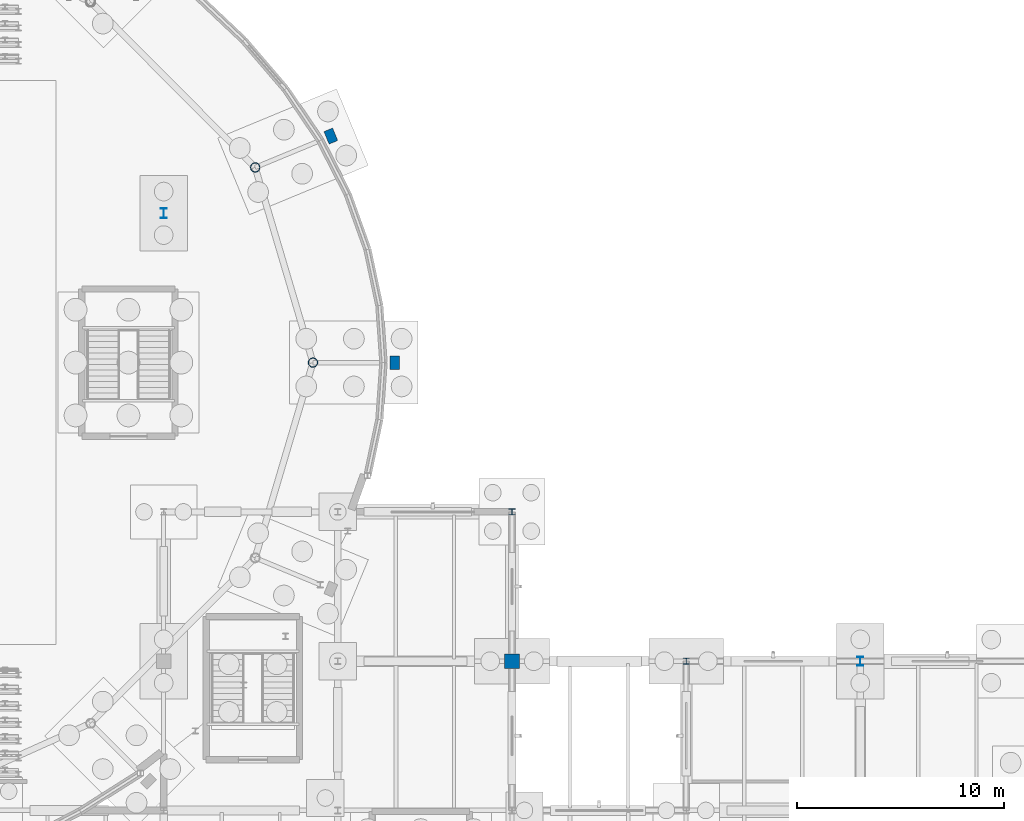
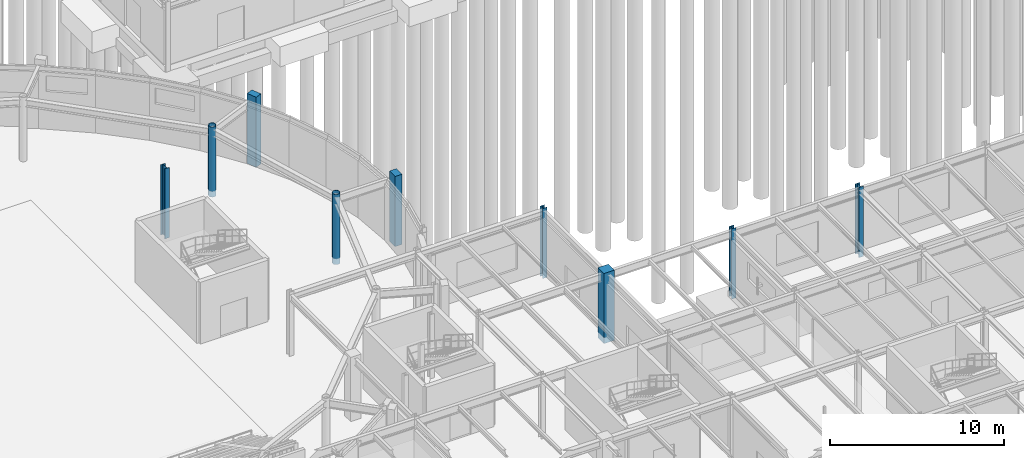
# One storey, part 18 of 93: 9 columns.
"""IFC4 building model written with IfcOpenShell, lengths in metres."""

from ifc_helpers import new_model, si_unit, derived_unit, direction, frame, origin, origin_2d, place, context, subcontext, project, spatial, rectangle, hollow_circle, i_section, extrude, material, material_profile, profile_set, type_object, element, save


model = new_model("IFC4")

# Units and contexts
model_context = context("Model", 3, precision=1e-05, world=origin(), true_north=direction((0.0, 1.0)))
body_context = subcontext(model_context, "Body", "Model", "MODEL_VIEW")
ifc_project = project(units=[si_unit("LENGTHUNIT", "METRE"), si_unit("AREAUNIT", "SQUARE_METRE"), si_unit("VOLUMEUNIT", "CUBIC_METRE"), si_unit("PLANEANGLEUNIT", "RADIAN"), si_unit("MASSUNIT", "GRAM", prefix="KILO"), derived_unit("THERMALTRANSMITTANCEUNIT", [(si_unit("MASSUNIT", "GRAM", prefix="KILO"), 1), (si_unit("TIMEUNIT", "SECOND"), -3), (si_unit("THERMODYNAMICTEMPERATUREUNIT", "KELVIN"), -1)])], contexts=[model_context])

# Site, building, storey
site_placement = place(None, origin())
site = spatial("IfcSite", under=ifc_project, at=site_placement, CompositionType="ELEMENT")
building_placement = place(site_placement, origin())
building = spatial("IfcBuilding", under=site, at=building_placement, Name="Kharveza Railside Sports Centre", CompositionType="ELEMENT")
storey_placement = place(building_placement, origin())
storey = spatial("IfcBuildingStorey", under=building, at=storey_placement, Name="L00", CompositionType="ELEMENT", Elevation=0.0)

# Columns
ifc_material_1 = material(Name="Concrete C35/45", Category="concrete")
ifc_material_profile_1 = material_profile(ifc_material_1, rectangle(XDim=0.699951171875, YDim=0.699951171875, at=origin_2d()), Name="RC 700x700")
ifc_profile_set_1 = profile_set([ifc_material_profile_1], Name="Concrete C35/45")
column_type_1 = type_object("IfcColumnType", Name="COL-RC01", PredefinedType="COLUMN", material=ifc_profile_set_1)
column_1_placement = place(storey_placement, frame((100.800048828125, 36.0, -0.419921875), z_axis=(0.0, 0.0, 1.0), x_axis=(1.0, 0.0, 0.0)))
element("IfcColumn", 1, at=column_1_placement, inside=storey, type_object=column_type_1, Name="COL-G-C19-X1008-Y360-L00", PredefinedType="COLUMN", context=body_context, shape_type="SweptSolid", body=[
    extrude(rectangle(XDim=0.699951171875, YDim=0.699951171875, at=origin_2d()), origin(), (0.0, 0.0, 1.0), 4.919921875),
])
ifc_material_profile_2 = material_profile(ifc_material_1, rectangle(XDim=0.449951171875, YDim=0.64990234375, at=origin_2d()), Name="RC 450x650")
ifc_profile_set_2 = profile_set([ifc_material_profile_2], Name="Concrete C35/45")
column_type_2 = type_object("IfcColumnType", Name="COL-RC04", PredefinedType="PILASTER", material=ifc_profile_set_2)
for number, where, z_axis, x_axis, name in (
    (2, (95.14990234375, 50.39990234375, -0.419921875), (0.0, 0.0, 1.0), (1.0, 0.0, 0.0), "COL-BUTT-01-L00"),
    (3, (92.063232421875, 61.32568359375, -0.419921875), (0.0, 0.0, 1.0), (0.923879532511, 0.382683432365, 0.0), "COL-BUTT-02-L00"),
):
    element("IfcColumn", number, at=place(storey_placement, frame(where, z_axis=z_axis, x_axis=x_axis)), inside=storey, type_object=column_type_2, Name=name, PredefinedType="PILASTER", context=body_context, shape_type="SweptSolid", body=[
        extrude(rectangle(XDim=0.449951171875, YDim=0.64990234375, at=origin_2d()), origin(), (0.0, 0.0, 1.0), 4.919921875),
    ])
ifc_material_2 = material(Name="Steel S355J2", Category="steel")
ifc_material_profile_3 = material_profile(ifc_material_2, i_section(OverallWidth=0.300048828125, OverallDepth=0.300048828125, WebThickness=0.010986328125, FlangeThickness=0.01904296875, FilletRadius=0.027099609375, at=origin_2d()), Name="HEB 300")
ifc_profile_set_3 = profile_set([ifc_material_profile_3], Name="Steel S355J2")
column_type_3 = type_object("IfcColumnType", Name="COL-S07", PredefinedType="COLUMN", material=ifc_profile_set_3)
for number, where, z_axis, x_axis, name in (
    (4, (100.800048828125, 43.199951171875, -0.419921875), (0.0, 0.0, 1.0), (1.0, 0.0, 0.0), "COL-G-C07-X1008-Y432-L00"),
    (5, (109.199951171875, 36.0, -0.419921875), (0.0, 0.0, 1.0), (1.0, 0.0, 0.0), "COL-G-C07-X1092-Y360-L00"),
):
    element("IfcColumn", number, at=place(storey_placement, frame(where, z_axis=z_axis, x_axis=x_axis)), inside=storey, type_object=column_type_3, Name=name, PredefinedType="COLUMN", context=body_context, shape_type="SweptSolid", body=[
        extrude(i_section(OverallWidth=0.300048828125, OverallDepth=0.300048828125, WebThickness=0.010986328125, FlangeThickness=0.01904296875, FilletRadius=0.027099609375, at=origin_2d()), origin(), (0.0, 0.0, 1.0), 4.919921875),
    ])
ifc_material_profile_4 = material_profile(ifc_material_2, i_section(OverallWidth=0.300048828125, OverallDepth=0.489990234375, WebThickness=0.011962890625, FlangeThickness=0.02294921875, FilletRadius=0.027099609375, at=origin_2d()), Name="HEA 500")
ifc_profile_set_4 = profile_set([ifc_material_profile_4], Name="Steel S355J2")
column_type_4 = type_object("IfcColumnType", Name="COL-S08", PredefinedType="COLUMN", material=ifc_profile_set_4)
column_2_placement = place(storey_placement, frame((84.0, 57.60009765625, -0.419921875), z_axis=(0.0, 0.0, 1.0), x_axis=(1.0, 0.0, 0.0)))
element("IfcColumn", 6, at=column_2_placement, inside=storey, type_object=column_type_4, Name="COL-BOWL-08-L00", PredefinedType="COLUMN", context=body_context, shape_type="SweptSolid", body=[
    extrude(i_section(OverallWidth=0.300048828125, OverallDepth=0.489990234375, WebThickness=0.011962890625, FlangeThickness=0.02294921875, FilletRadius=0.027099609375, at=origin_2d()), origin(), (0.0, 0.0, 1.0), 4.919921875),
])
ifc_material_profile_5 = material_profile(ifc_material_2, i_section(OverallWidth=0.300048828125, OverallDepth=0.43994140625, WebThickness=0.011474609375, FlangeThickness=0.02099609375, FilletRadius=0.027099609375, at=origin_2d()), Name="HEA 450")
ifc_profile_set_5 = profile_set([ifc_material_profile_5], Name="Steel S355J2")
column_type_5 = type_object("IfcColumnType", Name="COL-S09", PredefinedType="COLUMN", material=ifc_profile_set_5)
column_3_placement = place(storey_placement, frame((117.60009765625, 36.0, -0.419921875), z_axis=(0.0, 0.0, 1.0), x_axis=(1.0, 0.0, 0.0)))
element("IfcColumn", 7, at=column_3_placement, inside=storey, type_object=column_type_5, Name="COL-G-C09-X1176-Y360-L00", PredefinedType="COLUMN", context=body_context, shape_type="SweptSolid", body=[
    extrude(i_section(OverallWidth=0.300048828125, OverallDepth=0.43994140625, WebThickness=0.011474609375, FlangeThickness=0.02099609375, FilletRadius=0.027099609375, at=origin_2d()), origin(), (0.0, 0.0, 1.0), 4.919921875),
])
ifc_material_profile_6 = material_profile(ifc_material_2, hollow_circle(Radius=0.228515625, WallThickness=0.02001953125, at=origin_2d()), Name="CHS 457.0x20.0")
ifc_profile_set_6 = profile_set([ifc_material_profile_6], Name="Steel S355J2")
column_type_6 = type_object("IfcColumnType", Name="COL-T01", PredefinedType="COLUMN", material=ifc_profile_set_6)
for number, where, z_axis, x_axis, name in (
    (8, (91.199951171875, 50.39990234375, -0.419921875), (0.0, 0.0, 1.0), (1.0, 0.0, 0.0), "COL-DRUM-01-L00"),
    (9, (88.4140625, 59.81396484375, -0.419921875), (0.0, 0.0, 1.0), (1.0, 0.0, 0.0), "COL-DRUM-02-L00"),
):
    element("IfcColumn", number, at=place(storey_placement, frame(where, z_axis=z_axis, x_axis=x_axis)), inside=storey, type_object=column_type_6, Name=name, PredefinedType="COLUMN", context=body_context, shape_type="SweptSolid", body=[
        extrude(hollow_circle(Radius=0.228515625, WallThickness=0.02001953125, at=origin_2d()), origin(), (0.0, 0.0, 1.0), 4.919921875),
    ])

save(model, "model.ifc")
